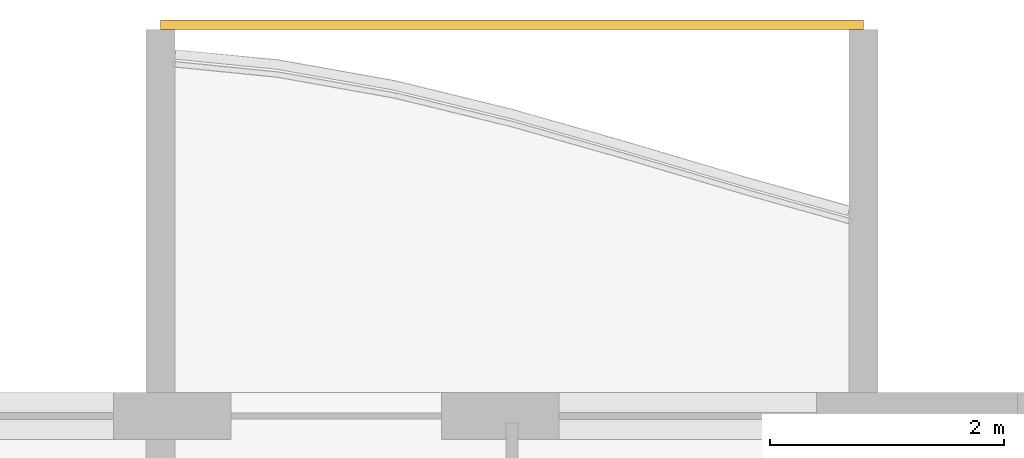
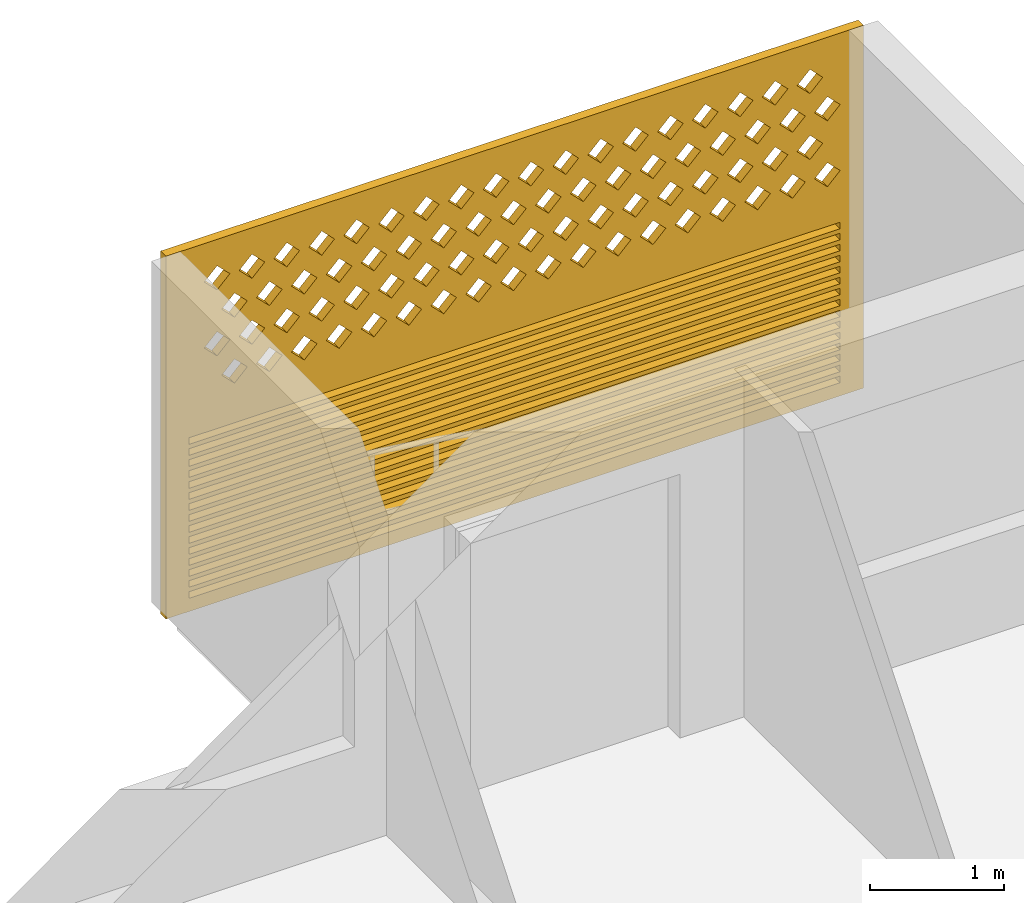
# One storey, part 27 of 27: 1 covering.
"""IFC4 building model written with IfcOpenShell, lengths in metres."""

from ifc_helpers import new_model, si_unit, direction, frame, origin, place, context, subcontext, project, spatial, polyline, outline, extrude, source, transform, mapped, material, material_profile, profile_set, type_object, element, save


model = new_model("IFC4")

# Units and contexts
model_context = context("Model", 3, precision=1e-05, world=origin(), true_north=direction((0.0, 1.0)))
body_context = subcontext(model_context, "Body", "Model", "MODEL_VIEW")
ifc_project = project(units=[si_unit("LENGTHUNIT", "METRE"), si_unit("AREAUNIT", "SQUARE_METRE"), si_unit("VOLUMEUNIT", "CUBIC_METRE"), si_unit("PLANEANGLEUNIT", "RADIAN"), si_unit("MASSUNIT", "GRAM", prefix="KILO")], contexts=[model_context])

# Site, building, storey
site_placement = place(None, origin())
site = spatial("IfcSite", under=ifc_project, at=site_placement, CompositionType="ELEMENT")
building_placement = place(site_placement, origin())
building = spatial("IfcBuilding", under=site, at=building_placement, Name="Poui Terraces", CompositionType="ELEMENT")
storey_placement = place(building_placement, frame((0.0, 0.0, 201.60009765625)))
storey = spatial("IfcBuildingStorey", under=building, at=storey_placement, Name="L56", CompositionType="ELEMENT", Elevation=201.60009765625)

# Covering
ifc_material = material(Name="Terracotta screen", Category="masonry")
ifc_material_profile = material_profile(ifc_material, outline(polyline([(-3.0, -1.64990234375), (3.0, -1.64990234375), (3.0, 1.64990234375), (-3.0, 1.64990234375), (-3.0, -1.64990234375)]), holes=[polyline([(-2.800048828125, 0.39990234375), (-2.68994140625, 0.2900390625), (-2.580078125, 0.39990234375), (-2.68994140625, 0.510009765625), (-2.800048828125, 0.39990234375)]), polyline([(-2.5, 0.39990234375), (-2.389892578125, 0.2900390625), (-2.280029296875, 0.39990234375), (-2.389892578125, 0.510009765625), (-2.5, 0.39990234375)]), polyline([(-2.199951171875, 0.39990234375), (-2.090087890625, 0.2900390625), (-1.97998046875, 0.39990234375), (-2.090087890625, 0.510009765625), (-2.199951171875, 0.39990234375)]), polyline([(-1.89990234375, 0.39990234375), (-1.7900390625, 0.2900390625), (-1.679931640625, 0.39990234375), (-1.7900390625, 0.510009765625), (-1.89990234375, 0.39990234375)]), polyline([(-1.60009765625, 0.39990234375), (-1.489990234375, 0.2900390625), (-1.3798828125, 0.39990234375), (-1.489990234375, 0.510009765625), (-1.60009765625, 0.39990234375)]), polyline([(-1.300048828125, 0.39990234375), (-1.18994140625, 0.2900390625), (-1.080078125, 0.39990234375), (-1.18994140625, 0.510009765625), (-1.300048828125, 0.39990234375)]), polyline([(-1.0, 0.39990234375), (-0.889892578125, 0.2900390625), (-0.780029296875, 0.39990234375), (-0.889892578125, 0.510009765625), (-1.0, 0.39990234375)]), polyline([(-0.699951171875, 0.39990234375), (-0.590087890625, 0.2900390625), (-0.47998046875, 0.39990234375), (-0.590087890625, 0.510009765625), (-0.699951171875, 0.39990234375)]), polyline([(-0.39990234375, 0.39990234375), (-0.2900390625, 0.2900390625), (-0.179931640625, 0.39990234375), (-0.2900390625, 0.510009765625), (-0.39990234375, 0.39990234375)]), polyline([(-0.10009765625, 0.39990234375), (0.010009765625, 0.2900390625), (0.1201171875, 0.39990234375), (0.010009765625, 0.510009765625), (-0.10009765625, 0.39990234375)]), polyline([(0.199951171875, 0.39990234375), (0.31005859375, 0.2900390625), (0.419921875, 0.39990234375), (0.31005859375, 0.510009765625), (0.199951171875, 0.39990234375)]), polyline([(0.5, 0.39990234375), (0.610107421875, 0.2900390625), (0.719970703125, 0.39990234375), (0.610107421875, 0.510009765625), (0.5, 0.39990234375)]), polyline([(0.800048828125, 0.39990234375), (0.909912109375, 0.2900390625), (1.02001953125, 0.39990234375), (0.909912109375, 0.510009765625), (0.800048828125, 0.39990234375)]), polyline([(1.10009765625, 0.39990234375), (1.2099609375, 0.2900390625), (1.320068359375, 0.39990234375), (1.2099609375, 0.510009765625), (1.10009765625, 0.39990234375)]), polyline([(1.39990234375, 0.39990234375), (1.510009765625, 0.2900390625), (1.6201171875, 0.39990234375), (1.510009765625, 0.510009765625), (1.39990234375, 0.39990234375)]), polyline([(1.699951171875, 0.39990234375), (1.81005859375, 0.2900390625), (1.919921875, 0.39990234375), (1.81005859375, 0.510009765625), (1.699951171875, 0.39990234375)]), polyline([(2.0, 0.39990234375), (2.110107421875, 0.2900390625), (2.219970703125, 0.39990234375), (2.110107421875, 0.510009765625), (2.0, 0.39990234375)]), polyline([(2.300048828125, 0.39990234375), (2.409912109375, 0.2900390625), (2.52001953125, 0.39990234375), (2.409912109375, 0.510009765625), (2.300048828125, 0.39990234375)]), polyline([(-2.64990234375, 0.699951171875), (-2.5400390625, 0.590087890625), (-2.429931640625, 0.699951171875), (-2.5400390625, 0.81005859375), (-2.64990234375, 0.699951171875)]), polyline([(-2.35009765625, 0.699951171875), (-2.239990234375, 0.590087890625), (-2.1298828125, 0.699951171875), (-2.239990234375, 0.81005859375), (-2.35009765625, 0.699951171875)]), polyline([(-2.050048828125, 0.699951171875), (-1.93994140625, 0.590087890625), (-1.830078125, 0.699951171875), (-1.93994140625, 0.81005859375), (-2.050048828125, 0.699951171875)]), polyline([(-1.75, 0.699951171875), (-1.639892578125, 0.590087890625), (-1.530029296875, 0.699951171875), (-1.639892578125, 0.81005859375), (-1.75, 0.699951171875)]), polyline([(-1.449951171875, 0.699951171875), (-1.340087890625, 0.590087890625), (-1.22998046875, 0.699951171875), (-1.340087890625, 0.81005859375), (-1.449951171875, 0.699951171875)]), polyline([(-1.14990234375, 0.699951171875), (-1.0400390625, 0.590087890625), (-0.929931640625, 0.699951171875), (-1.0400390625, 0.81005859375), (-1.14990234375, 0.699951171875)]), polyline([(-0.85009765625, 0.699951171875), (-0.739990234375, 0.590087890625), (-0.6298828125, 0.699951171875), (-0.739990234375, 0.81005859375), (-0.85009765625, 0.699951171875)]), polyline([(-0.550048828125, 0.699951171875), (-0.43994140625, 0.590087890625), (-0.330078125, 0.699951171875), (-0.43994140625, 0.81005859375), (-0.550048828125, 0.699951171875)]), polyline([(-0.25, 0.699951171875), (-0.139892578125, 0.590087890625), (-0.030029296875, 0.699951171875), (-0.139892578125, 0.81005859375), (-0.25, 0.699951171875)]), polyline([(0.050048828125, 0.699951171875), (0.159912109375, 0.590087890625), (0.27001953125, 0.699951171875), (0.159912109375, 0.81005859375), (0.050048828125, 0.699951171875)]), polyline([(0.35009765625, 0.699951171875), (0.4599609375, 0.590087890625), (0.570068359375, 0.699951171875), (0.4599609375, 0.81005859375), (0.35009765625, 0.699951171875)]), polyline([(0.64990234375, 0.699951171875), (0.760009765625, 0.590087890625), (0.8701171875, 0.699951171875), (0.760009765625, 0.81005859375), (0.64990234375, 0.699951171875)]), polyline([(0.949951171875, 0.699951171875), (1.06005859375, 0.590087890625), (1.169921875, 0.699951171875), (1.06005859375, 0.81005859375), (0.949951171875, 0.699951171875)]), polyline([(1.25, 0.699951171875), (1.360107421875, 0.590087890625), (1.469970703125, 0.699951171875), (1.360107421875, 0.81005859375), (1.25, 0.699951171875)]), polyline([(1.550048828125, 0.699951171875), (1.659912109375, 0.590087890625), (1.77001953125, 0.699951171875), (1.659912109375, 0.81005859375), (1.550048828125, 0.699951171875)]), polyline([(1.85009765625, 0.699951171875), (1.9599609375, 0.590087890625), (2.070068359375, 0.699951171875), (1.9599609375, 0.81005859375), (1.85009765625, 0.699951171875)]), polyline([(2.14990234375, 0.699951171875), (2.260009765625, 0.590087890625), (2.3701171875, 0.699951171875), (2.260009765625, 0.81005859375), (2.14990234375, 0.699951171875)]), polyline([(2.449951171875, 0.699951171875), (2.56005859375, 0.590087890625), (2.669921875, 0.699951171875), (2.56005859375, 0.81005859375), (2.449951171875, 0.699951171875)]), polyline([(-2.800048828125, 1.0), (-2.68994140625, 0.889892578125), (-2.580078125, 1.0), (-2.68994140625, 1.110107421875), (-2.800048828125, 1.0)]), polyline([(-2.5, 1.0), (-2.389892578125, 0.889892578125), (-2.280029296875, 1.0), (-2.389892578125, 1.110107421875), (-2.5, 1.0)]), polyline([(-2.199951171875, 1.0), (-2.090087890625, 0.889892578125), (-1.97998046875, 1.0), (-2.090087890625, 1.110107421875), (-2.199951171875, 1.0)]), polyline([(-1.89990234375, 1.0), (-1.7900390625, 0.889892578125), (-1.679931640625, 1.0), (-1.7900390625, 1.110107421875), (-1.89990234375, 1.0)]), polyline([(-1.60009765625, 1.0), (-1.489990234375, 0.889892578125), (-1.3798828125, 1.0), (-1.489990234375, 1.110107421875), (-1.60009765625, 1.0)]), polyline([(-1.300048828125, 1.0), (-1.18994140625, 0.889892578125), (-1.080078125, 1.0), (-1.18994140625, 1.110107421875), (-1.300048828125, 1.0)]), polyline([(-1.0, 1.0), (-0.889892578125, 0.889892578125), (-0.780029296875, 1.0), (-0.889892578125, 1.110107421875), (-1.0, 1.0)]), polyline([(-0.699951171875, 1.0), (-0.590087890625, 0.889892578125), (-0.47998046875, 1.0), (-0.590087890625, 1.110107421875), (-0.699951171875, 1.0)]), polyline([(-0.39990234375, 1.0), (-0.2900390625, 0.889892578125), (-0.179931640625, 1.0), (-0.2900390625, 1.110107421875), (-0.39990234375, 1.0)]), polyline([(-0.10009765625, 1.0), (0.010009765625, 0.889892578125), (0.1201171875, 1.0), (0.010009765625, 1.110107421875), (-0.10009765625, 1.0)]), polyline([(0.199951171875, 1.0), (0.31005859375, 0.889892578125), (0.419921875, 1.0), (0.31005859375, 1.110107421875), (0.199951171875, 1.0)]), polyline([(0.5, 1.0), (0.610107421875, 0.889892578125), (0.719970703125, 1.0), (0.610107421875, 1.110107421875), (0.5, 1.0)]), polyline([(0.800048828125, 1.0), (0.909912109375, 0.889892578125), (1.02001953125, 1.0), (0.909912109375, 1.110107421875), (0.800048828125, 1.0)]), polyline([(1.10009765625, 1.0), (1.2099609375, 0.889892578125), (1.320068359375, 1.0), (1.2099609375, 1.110107421875), (1.10009765625, 1.0)]), polyline([(1.39990234375, 1.0), (1.510009765625, 0.889892578125), (1.6201171875, 1.0), (1.510009765625, 1.110107421875), (1.39990234375, 1.0)]), polyline([(1.699951171875, 1.0), (1.81005859375, 0.889892578125), (1.919921875, 1.0), (1.81005859375, 1.110107421875), (1.699951171875, 1.0)]), polyline([(2.0, 1.0), (2.110107421875, 0.889892578125), (2.219970703125, 1.0), (2.110107421875, 1.110107421875), (2.0, 1.0)]), polyline([(2.300048828125, 1.0), (2.409912109375, 0.889892578125), (2.52001953125, 1.0), (2.409912109375, 1.110107421875), (2.300048828125, 1.0)]), polyline([(-2.64990234375, 1.300048828125), (-2.5400390625, 1.18994140625), (-2.429931640625, 1.300048828125), (-2.5400390625, 1.409912109375), (-2.64990234375, 1.300048828125)]), polyline([(-2.35009765625, 1.300048828125), (-2.239990234375, 1.18994140625), (-2.1298828125, 1.300048828125), (-2.239990234375, 1.409912109375), (-2.35009765625, 1.300048828125)]), polyline([(-2.050048828125, 1.300048828125), (-1.93994140625, 1.18994140625), (-1.830078125, 1.300048828125), (-1.93994140625, 1.409912109375), (-2.050048828125, 1.300048828125)]), polyline([(-1.75, 1.300048828125), (-1.639892578125, 1.18994140625), (-1.530029296875, 1.300048828125), (-1.639892578125, 1.409912109375), (-1.75, 1.300048828125)]), polyline([(-1.449951171875, 1.300048828125), (-1.340087890625, 1.18994140625), (-1.22998046875, 1.300048828125), (-1.340087890625, 1.409912109375), (-1.449951171875, 1.300048828125)]), polyline([(-1.14990234375, 1.300048828125), (-1.0400390625, 1.18994140625), (-0.929931640625, 1.300048828125), (-1.0400390625, 1.409912109375), (-1.14990234375, 1.300048828125)]), polyline([(-0.85009765625, 1.300048828125), (-0.739990234375, 1.18994140625), (-0.6298828125, 1.300048828125), (-0.739990234375, 1.409912109375), (-0.85009765625, 1.300048828125)]), polyline([(-0.550048828125, 1.300048828125), (-0.43994140625, 1.18994140625), (-0.330078125, 1.300048828125), (-0.43994140625, 1.409912109375), (-0.550048828125, 1.300048828125)]), polyline([(-0.25, 1.300048828125), (-0.139892578125, 1.18994140625), (-0.030029296875, 1.300048828125), (-0.139892578125, 1.409912109375), (-0.25, 1.300048828125)]), polyline([(0.050048828125, 1.300048828125), (0.159912109375, 1.18994140625), (0.27001953125, 1.300048828125), (0.159912109375, 1.409912109375), (0.050048828125, 1.300048828125)]), polyline([(0.35009765625, 1.300048828125), (0.4599609375, 1.18994140625), (0.570068359375, 1.300048828125), (0.4599609375, 1.409912109375), (0.35009765625, 1.300048828125)]), polyline([(0.64990234375, 1.300048828125), (0.760009765625, 1.18994140625), (0.8701171875, 1.300048828125), (0.760009765625, 1.409912109375), (0.64990234375, 1.300048828125)]), polyline([(0.949951171875, 1.300048828125), (1.06005859375, 1.18994140625), (1.169921875, 1.300048828125), (1.06005859375, 1.409912109375), (0.949951171875, 1.300048828125)]), polyline([(1.25, 1.300048828125), (1.360107421875, 1.18994140625), (1.469970703125, 1.300048828125), (1.360107421875, 1.409912109375), (1.25, 1.300048828125)]), polyline([(1.550048828125, 1.300048828125), (1.659912109375, 1.18994140625), (1.77001953125, 1.300048828125), (1.659912109375, 1.409912109375), (1.550048828125, 1.300048828125)]), polyline([(1.85009765625, 1.300048828125), (1.9599609375, 1.18994140625), (2.070068359375, 1.300048828125), (1.9599609375, 1.409912109375), (1.85009765625, 1.300048828125)]), polyline([(2.14990234375, 1.300048828125), (2.260009765625, 1.18994140625), (2.3701171875, 1.300048828125), (2.260009765625, 1.409912109375), (2.14990234375, 1.300048828125)]), polyline([(2.449951171875, 1.300048828125), (2.56005859375, 1.18994140625), (2.669921875, 1.300048828125), (2.56005859375, 1.409912109375), (2.449951171875, 1.300048828125)]), polyline([(-2.800048828125, -1.530029296875), (2.800048828125, -1.530029296875), (2.800048828125, -1.469970703125), (-2.800048828125, -1.469970703125), (-2.800048828125, -1.530029296875)]), polyline([(-2.800048828125, -1.429931640625), (2.800048828125, -1.429931640625), (2.800048828125, -1.3701171875), (-2.800048828125, -1.3701171875), (-2.800048828125, -1.429931640625)]), polyline([(-2.800048828125, -1.330078125), (2.800048828125, -1.330078125), (2.800048828125, -1.27001953125), (-2.800048828125, -1.27001953125), (-2.800048828125, -1.330078125)]), polyline([(-2.800048828125, -1.22998046875), (2.800048828125, -1.22998046875), (2.800048828125, -1.169921875), (-2.800048828125, -1.169921875), (-2.800048828125, -1.22998046875)]), polyline([(-2.800048828125, -1.1298828125), (2.800048828125, -1.1298828125), (2.800048828125, -1.070068359375), (-2.800048828125, -1.070068359375), (-2.800048828125, -1.1298828125)]), polyline([(-2.800048828125, -1.030029296875), (2.800048828125, -1.030029296875), (2.800048828125, -0.969970703125), (-2.800048828125, -0.969970703125), (-2.800048828125, -1.030029296875)]), polyline([(-2.800048828125, -0.929931640625), (2.800048828125, -0.929931640625), (2.800048828125, -0.8701171875), (-2.800048828125, -0.8701171875), (-2.800048828125, -0.929931640625)]), polyline([(-2.800048828125, -0.830078125), (2.800048828125, -0.830078125), (2.800048828125, -0.77001953125), (-2.800048828125, -0.77001953125), (-2.800048828125, -0.830078125)]), polyline([(-2.800048828125, -0.72998046875), (2.800048828125, -0.72998046875), (2.800048828125, -0.669921875), (-2.800048828125, -0.669921875), (-2.800048828125, -0.72998046875)]), polyline([(-2.800048828125, -0.6298828125), (2.800048828125, -0.6298828125), (2.800048828125, -0.570068359375), (-2.800048828125, -0.570068359375), (-2.800048828125, -0.6298828125)]), polyline([(-2.800048828125, -0.530029296875), (2.800048828125, -0.530029296875), (2.800048828125, -0.469970703125), (-2.800048828125, -0.469970703125), (-2.800048828125, -0.530029296875)]), polyline([(-2.800048828125, -0.429931640625), (2.800048828125, -0.429931640625), (2.800048828125, -0.3701171875), (-2.800048828125, -0.3701171875), (-2.800048828125, -0.429931640625)]), polyline([(-2.800048828125, -0.330078125), (2.800048828125, -0.330078125), (2.800048828125, -0.27001953125), (-2.800048828125, -0.27001953125), (-2.800048828125, -0.330078125)]), polyline([(-2.800048828125, -0.22998046875), (2.800048828125, -0.22998046875), (2.800048828125, -0.169921875), (-2.800048828125, -0.169921875), (-2.800048828125, -0.22998046875)]), polyline([(-2.800048828125, -0.1298828125), (2.800048828125, -0.1298828125), (2.800048828125, -0.070068359375), (-2.800048828125, -0.070068359375), (-2.800048828125, -0.1298828125)])]), Name="TERRACOTTA SCREEN AND JALOUSIE LOUVRE 6000X3300")
ifc_profile_set = profile_set([ifc_material_profile], Name="Terracotta screen")
covering_type = type_object("IfcCoveringType", Name="TERRACOTTA SCREEN AND JALOUSIE LOUVRE 6000X3300", PredefinedType="CLADDING", material=ifc_profile_set)
shared_shape = source(origin(), body_context, "Body", "SweptSolid", [
    extrude(outline(polyline([(-3.0, -1.64990234375), (3.0, -1.64990234375), (3.0, 1.64990234375), (-3.0, 1.64990234375), (-3.0, -1.64990234375)]), holes=[polyline([(-2.800048828125, 0.39990234375), (-2.68994140625, 0.2900390625), (-2.580078125, 0.39990234375), (-2.68994140625, 0.510009765625), (-2.800048828125, 0.39990234375)]), polyline([(-2.5, 0.39990234375), (-2.389892578125, 0.2900390625), (-2.280029296875, 0.39990234375), (-2.389892578125, 0.510009765625), (-2.5, 0.39990234375)]), polyline([(-2.199951171875, 0.39990234375), (-2.090087890625, 0.2900390625), (-1.97998046875, 0.39990234375), (-2.090087890625, 0.510009765625), (-2.199951171875, 0.39990234375)]), polyline([(-1.89990234375, 0.39990234375), (-1.7900390625, 0.2900390625), (-1.679931640625, 0.39990234375), (-1.7900390625, 0.510009765625), (-1.89990234375, 0.39990234375)]), polyline([(-1.60009765625, 0.39990234375), (-1.489990234375, 0.2900390625), (-1.3798828125, 0.39990234375), (-1.489990234375, 0.510009765625), (-1.60009765625, 0.39990234375)]), polyline([(-1.300048828125, 0.39990234375), (-1.18994140625, 0.2900390625), (-1.080078125, 0.39990234375), (-1.18994140625, 0.510009765625), (-1.300048828125, 0.39990234375)]), polyline([(-1.0, 0.39990234375), (-0.889892578125, 0.2900390625), (-0.780029296875, 0.39990234375), (-0.889892578125, 0.510009765625), (-1.0, 0.39990234375)]), polyline([(-0.699951171875, 0.39990234375), (-0.590087890625, 0.2900390625), (-0.47998046875, 0.39990234375), (-0.590087890625, 0.510009765625), (-0.699951171875, 0.39990234375)]), polyline([(-0.39990234375, 0.39990234375), (-0.2900390625, 0.2900390625), (-0.179931640625, 0.39990234375), (-0.2900390625, 0.510009765625), (-0.39990234375, 0.39990234375)]), polyline([(-0.10009765625, 0.39990234375), (0.010009765625, 0.2900390625), (0.1201171875, 0.39990234375), (0.010009765625, 0.510009765625), (-0.10009765625, 0.39990234375)]), polyline([(0.199951171875, 0.39990234375), (0.31005859375, 0.2900390625), (0.419921875, 0.39990234375), (0.31005859375, 0.510009765625), (0.199951171875, 0.39990234375)]), polyline([(0.5, 0.39990234375), (0.610107421875, 0.2900390625), (0.719970703125, 0.39990234375), (0.610107421875, 0.510009765625), (0.5, 0.39990234375)]), polyline([(0.800048828125, 0.39990234375), (0.909912109375, 0.2900390625), (1.02001953125, 0.39990234375), (0.909912109375, 0.510009765625), (0.800048828125, 0.39990234375)]), polyline([(1.10009765625, 0.39990234375), (1.2099609375, 0.2900390625), (1.320068359375, 0.39990234375), (1.2099609375, 0.510009765625), (1.10009765625, 0.39990234375)]), polyline([(1.39990234375, 0.39990234375), (1.510009765625, 0.2900390625), (1.6201171875, 0.39990234375), (1.510009765625, 0.510009765625), (1.39990234375, 0.39990234375)]), polyline([(1.699951171875, 0.39990234375), (1.81005859375, 0.2900390625), (1.919921875, 0.39990234375), (1.81005859375, 0.510009765625), (1.699951171875, 0.39990234375)]), polyline([(2.0, 0.39990234375), (2.110107421875, 0.2900390625), (2.219970703125, 0.39990234375), (2.110107421875, 0.510009765625), (2.0, 0.39990234375)]), polyline([(2.300048828125, 0.39990234375), (2.409912109375, 0.2900390625), (2.52001953125, 0.39990234375), (2.409912109375, 0.510009765625), (2.300048828125, 0.39990234375)]), polyline([(-2.64990234375, 0.699951171875), (-2.5400390625, 0.590087890625), (-2.429931640625, 0.699951171875), (-2.5400390625, 0.81005859375), (-2.64990234375, 0.699951171875)]), polyline([(-2.35009765625, 0.699951171875), (-2.239990234375, 0.590087890625), (-2.1298828125, 0.699951171875), (-2.239990234375, 0.81005859375), (-2.35009765625, 0.699951171875)]), polyline([(-2.050048828125, 0.699951171875), (-1.93994140625, 0.590087890625), (-1.830078125, 0.699951171875), (-1.93994140625, 0.81005859375), (-2.050048828125, 0.699951171875)]), polyline([(-1.75, 0.699951171875), (-1.639892578125, 0.590087890625), (-1.530029296875, 0.699951171875), (-1.639892578125, 0.81005859375), (-1.75, 0.699951171875)]), polyline([(-1.449951171875, 0.699951171875), (-1.340087890625, 0.590087890625), (-1.22998046875, 0.699951171875), (-1.340087890625, 0.81005859375), (-1.449951171875, 0.699951171875)]), polyline([(-1.14990234375, 0.699951171875), (-1.0400390625, 0.590087890625), (-0.929931640625, 0.699951171875), (-1.0400390625, 0.81005859375), (-1.14990234375, 0.699951171875)]), polyline([(-0.85009765625, 0.699951171875), (-0.739990234375, 0.590087890625), (-0.6298828125, 0.699951171875), (-0.739990234375, 0.81005859375), (-0.85009765625, 0.699951171875)]), polyline([(-0.550048828125, 0.699951171875), (-0.43994140625, 0.590087890625), (-0.330078125, 0.699951171875), (-0.43994140625, 0.81005859375), (-0.550048828125, 0.699951171875)]), polyline([(-0.25, 0.699951171875), (-0.139892578125, 0.590087890625), (-0.030029296875, 0.699951171875), (-0.139892578125, 0.81005859375), (-0.25, 0.699951171875)]), polyline([(0.050048828125, 0.699951171875), (0.159912109375, 0.590087890625), (0.27001953125, 0.699951171875), (0.159912109375, 0.81005859375), (0.050048828125, 0.699951171875)]), polyline([(0.35009765625, 0.699951171875), (0.4599609375, 0.590087890625), (0.570068359375, 0.699951171875), (0.4599609375, 0.81005859375), (0.35009765625, 0.699951171875)]), polyline([(0.64990234375, 0.699951171875), (0.760009765625, 0.590087890625), (0.8701171875, 0.699951171875), (0.760009765625, 0.81005859375), (0.64990234375, 0.699951171875)]), polyline([(0.949951171875, 0.699951171875), (1.06005859375, 0.590087890625), (1.169921875, 0.699951171875), (1.06005859375, 0.81005859375), (0.949951171875, 0.699951171875)]), polyline([(1.25, 0.699951171875), (1.360107421875, 0.590087890625), (1.469970703125, 0.699951171875), (1.360107421875, 0.81005859375), (1.25, 0.699951171875)]), polyline([(1.550048828125, 0.699951171875), (1.659912109375, 0.590087890625), (1.77001953125, 0.699951171875), (1.659912109375, 0.81005859375), (1.550048828125, 0.699951171875)]), polyline([(1.85009765625, 0.699951171875), (1.9599609375, 0.590087890625), (2.070068359375, 0.699951171875), (1.9599609375, 0.81005859375), (1.85009765625, 0.699951171875)]), polyline([(2.14990234375, 0.699951171875), (2.260009765625, 0.590087890625), (2.3701171875, 0.699951171875), (2.260009765625, 0.81005859375), (2.14990234375, 0.699951171875)]), polyline([(2.449951171875, 0.699951171875), (2.56005859375, 0.590087890625), (2.669921875, 0.699951171875), (2.56005859375, 0.81005859375), (2.449951171875, 0.699951171875)]), polyline([(-2.800048828125, 1.0), (-2.68994140625, 0.889892578125), (-2.580078125, 1.0), (-2.68994140625, 1.110107421875), (-2.800048828125, 1.0)]), polyline([(-2.5, 1.0), (-2.389892578125, 0.889892578125), (-2.280029296875, 1.0), (-2.389892578125, 1.110107421875), (-2.5, 1.0)]), polyline([(-2.199951171875, 1.0), (-2.090087890625, 0.889892578125), (-1.97998046875, 1.0), (-2.090087890625, 1.110107421875), (-2.199951171875, 1.0)]), polyline([(-1.89990234375, 1.0), (-1.7900390625, 0.889892578125), (-1.679931640625, 1.0), (-1.7900390625, 1.110107421875), (-1.89990234375, 1.0)]), polyline([(-1.60009765625, 1.0), (-1.489990234375, 0.889892578125), (-1.3798828125, 1.0), (-1.489990234375, 1.110107421875), (-1.60009765625, 1.0)]), polyline([(-1.300048828125, 1.0), (-1.18994140625, 0.889892578125), (-1.080078125, 1.0), (-1.18994140625, 1.110107421875), (-1.300048828125, 1.0)]), polyline([(-1.0, 1.0), (-0.889892578125, 0.889892578125), (-0.780029296875, 1.0), (-0.889892578125, 1.110107421875), (-1.0, 1.0)]), polyline([(-0.699951171875, 1.0), (-0.590087890625, 0.889892578125), (-0.47998046875, 1.0), (-0.590087890625, 1.110107421875), (-0.699951171875, 1.0)]), polyline([(-0.39990234375, 1.0), (-0.2900390625, 0.889892578125), (-0.179931640625, 1.0), (-0.2900390625, 1.110107421875), (-0.39990234375, 1.0)]), polyline([(-0.10009765625, 1.0), (0.010009765625, 0.889892578125), (0.1201171875, 1.0), (0.010009765625, 1.110107421875), (-0.10009765625, 1.0)]), polyline([(0.199951171875, 1.0), (0.31005859375, 0.889892578125), (0.419921875, 1.0), (0.31005859375, 1.110107421875), (0.199951171875, 1.0)]), polyline([(0.5, 1.0), (0.610107421875, 0.889892578125), (0.719970703125, 1.0), (0.610107421875, 1.110107421875), (0.5, 1.0)]), polyline([(0.800048828125, 1.0), (0.909912109375, 0.889892578125), (1.02001953125, 1.0), (0.909912109375, 1.110107421875), (0.800048828125, 1.0)]), polyline([(1.10009765625, 1.0), (1.2099609375, 0.889892578125), (1.320068359375, 1.0), (1.2099609375, 1.110107421875), (1.10009765625, 1.0)]), polyline([(1.39990234375, 1.0), (1.510009765625, 0.889892578125), (1.6201171875, 1.0), (1.510009765625, 1.110107421875), (1.39990234375, 1.0)]), polyline([(1.699951171875, 1.0), (1.81005859375, 0.889892578125), (1.919921875, 1.0), (1.81005859375, 1.110107421875), (1.699951171875, 1.0)]), polyline([(2.0, 1.0), (2.110107421875, 0.889892578125), (2.219970703125, 1.0), (2.110107421875, 1.110107421875), (2.0, 1.0)]), polyline([(2.300048828125, 1.0), (2.409912109375, 0.889892578125), (2.52001953125, 1.0), (2.409912109375, 1.110107421875), (2.300048828125, 1.0)]), polyline([(-2.64990234375, 1.300048828125), (-2.5400390625, 1.18994140625), (-2.429931640625, 1.300048828125), (-2.5400390625, 1.409912109375), (-2.64990234375, 1.300048828125)]), polyline([(-2.35009765625, 1.300048828125), (-2.239990234375, 1.18994140625), (-2.1298828125, 1.300048828125), (-2.239990234375, 1.409912109375), (-2.35009765625, 1.300048828125)]), polyline([(-2.050048828125, 1.300048828125), (-1.93994140625, 1.18994140625), (-1.830078125, 1.300048828125), (-1.93994140625, 1.409912109375), (-2.050048828125, 1.300048828125)]), polyline([(-1.75, 1.300048828125), (-1.639892578125, 1.18994140625), (-1.530029296875, 1.300048828125), (-1.639892578125, 1.409912109375), (-1.75, 1.300048828125)]), polyline([(-1.449951171875, 1.300048828125), (-1.340087890625, 1.18994140625), (-1.22998046875, 1.300048828125), (-1.340087890625, 1.409912109375), (-1.449951171875, 1.300048828125)]), polyline([(-1.14990234375, 1.300048828125), (-1.0400390625, 1.18994140625), (-0.929931640625, 1.300048828125), (-1.0400390625, 1.409912109375), (-1.14990234375, 1.300048828125)]), polyline([(-0.85009765625, 1.300048828125), (-0.739990234375, 1.18994140625), (-0.6298828125, 1.300048828125), (-0.739990234375, 1.409912109375), (-0.85009765625, 1.300048828125)]), polyline([(-0.550048828125, 1.300048828125), (-0.43994140625, 1.18994140625), (-0.330078125, 1.300048828125), (-0.43994140625, 1.409912109375), (-0.550048828125, 1.300048828125)]), polyline([(-0.25, 1.300048828125), (-0.139892578125, 1.18994140625), (-0.030029296875, 1.300048828125), (-0.139892578125, 1.409912109375), (-0.25, 1.300048828125)]), polyline([(0.050048828125, 1.300048828125), (0.159912109375, 1.18994140625), (0.27001953125, 1.300048828125), (0.159912109375, 1.409912109375), (0.050048828125, 1.300048828125)]), polyline([(0.35009765625, 1.300048828125), (0.4599609375, 1.18994140625), (0.570068359375, 1.300048828125), (0.4599609375, 1.409912109375), (0.35009765625, 1.300048828125)]), polyline([(0.64990234375, 1.300048828125), (0.760009765625, 1.18994140625), (0.8701171875, 1.300048828125), (0.760009765625, 1.409912109375), (0.64990234375, 1.300048828125)]), polyline([(0.949951171875, 1.300048828125), (1.06005859375, 1.18994140625), (1.169921875, 1.300048828125), (1.06005859375, 1.409912109375), (0.949951171875, 1.300048828125)]), polyline([(1.25, 1.300048828125), (1.360107421875, 1.18994140625), (1.469970703125, 1.300048828125), (1.360107421875, 1.409912109375), (1.25, 1.300048828125)]), polyline([(1.550048828125, 1.300048828125), (1.659912109375, 1.18994140625), (1.77001953125, 1.300048828125), (1.659912109375, 1.409912109375), (1.550048828125, 1.300048828125)]), polyline([(1.85009765625, 1.300048828125), (1.9599609375, 1.18994140625), (2.070068359375, 1.300048828125), (1.9599609375, 1.409912109375), (1.85009765625, 1.300048828125)]), polyline([(2.14990234375, 1.300048828125), (2.260009765625, 1.18994140625), (2.3701171875, 1.300048828125), (2.260009765625, 1.409912109375), (2.14990234375, 1.300048828125)]), polyline([(2.449951171875, 1.300048828125), (2.56005859375, 1.18994140625), (2.669921875, 1.300048828125), (2.56005859375, 1.409912109375), (2.449951171875, 1.300048828125)]), polyline([(-2.800048828125, -1.530029296875), (2.800048828125, -1.530029296875), (2.800048828125, -1.469970703125), (-2.800048828125, -1.469970703125), (-2.800048828125, -1.530029296875)]), polyline([(-2.800048828125, -1.429931640625), (2.800048828125, -1.429931640625), (2.800048828125, -1.3701171875), (-2.800048828125, -1.3701171875), (-2.800048828125, -1.429931640625)]), polyline([(-2.800048828125, -1.330078125), (2.800048828125, -1.330078125), (2.800048828125, -1.27001953125), (-2.800048828125, -1.27001953125), (-2.800048828125, -1.330078125)]), polyline([(-2.800048828125, -1.22998046875), (2.800048828125, -1.22998046875), (2.800048828125, -1.169921875), (-2.800048828125, -1.169921875), (-2.800048828125, -1.22998046875)]), polyline([(-2.800048828125, -1.1298828125), (2.800048828125, -1.1298828125), (2.800048828125, -1.070068359375), (-2.800048828125, -1.070068359375), (-2.800048828125, -1.1298828125)]), polyline([(-2.800048828125, -1.030029296875), (2.800048828125, -1.030029296875), (2.800048828125, -0.969970703125), (-2.800048828125, -0.969970703125), (-2.800048828125, -1.030029296875)]), polyline([(-2.800048828125, -0.929931640625), (2.800048828125, -0.929931640625), (2.800048828125, -0.8701171875), (-2.800048828125, -0.8701171875), (-2.800048828125, -0.929931640625)]), polyline([(-2.800048828125, -0.830078125), (2.800048828125, -0.830078125), (2.800048828125, -0.77001953125), (-2.800048828125, -0.77001953125), (-2.800048828125, -0.830078125)]), polyline([(-2.800048828125, -0.72998046875), (2.800048828125, -0.72998046875), (2.800048828125, -0.669921875), (-2.800048828125, -0.669921875), (-2.800048828125, -0.72998046875)]), polyline([(-2.800048828125, -0.6298828125), (2.800048828125, -0.6298828125), (2.800048828125, -0.570068359375), (-2.800048828125, -0.570068359375), (-2.800048828125, -0.6298828125)]), polyline([(-2.800048828125, -0.530029296875), (2.800048828125, -0.530029296875), (2.800048828125, -0.469970703125), (-2.800048828125, -0.469970703125), (-2.800048828125, -0.530029296875)]), polyline([(-2.800048828125, -0.429931640625), (2.800048828125, -0.429931640625), (2.800048828125, -0.3701171875), (-2.800048828125, -0.3701171875), (-2.800048828125, -0.429931640625)]), polyline([(-2.800048828125, -0.330078125), (2.800048828125, -0.330078125), (2.800048828125, -0.27001953125), (-2.800048828125, -0.27001953125), (-2.800048828125, -0.330078125)]), polyline([(-2.800048828125, -0.22998046875), (2.800048828125, -0.22998046875), (2.800048828125, -0.169921875), (-2.800048828125, -0.169921875), (-2.800048828125, -0.22998046875)]), polyline([(-2.800048828125, -0.1298828125), (2.800048828125, -0.1298828125), (2.800048828125, -0.070068359375), (-2.800048828125, -0.070068359375), (-2.800048828125, -0.1298828125)])]), origin(), (0.0, 0.0, 1.0), 0.080078125),
])
covering_placement = place(storey_placement, frame((75.0, 44.5, 1.449951171875), z_axis=(0.0, 1.0, 0.0), x_axis=(-1.0, 0.0, 0.0)))
element("IfcCovering", 1, at=covering_placement, inside=storey, type_object=covering_type, Name="SOLAR SCREEN AND JALOUSIE LOUVRE", PredefinedType="CLADDING", context=body_context, shape_type="MappedRepresentation", body=[
    mapped(shared_shape, transform((0.0, 0.0, 0.0))),
])

save(model, "model.ifc")
